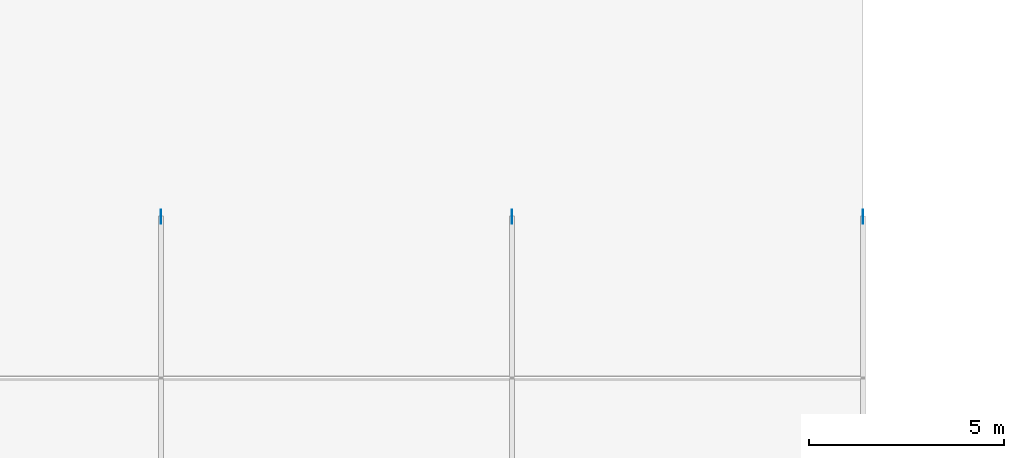
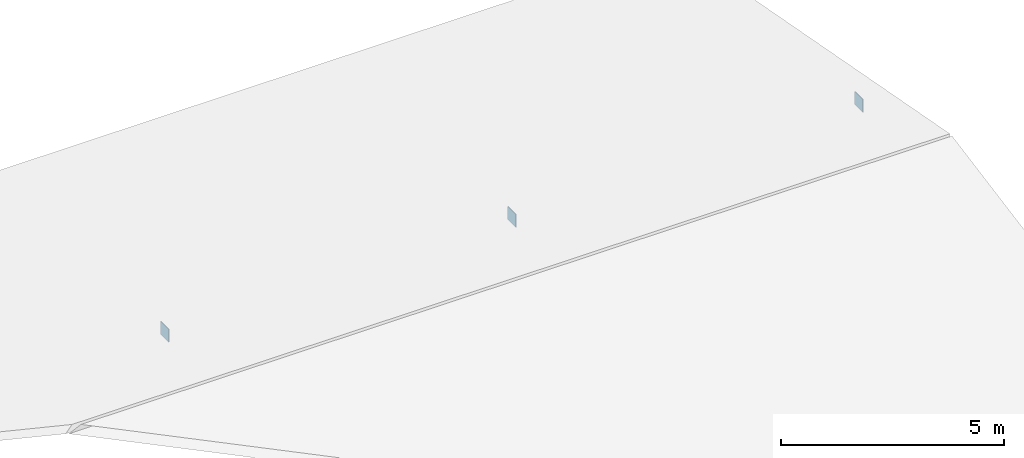
# One storey, part 17 of 35: 3 plates.
"""IFC4 building model written with IfcOpenShell, lengths in metres."""

import ifcopenshell
import ifcopenshell.guid

model = None  # the IFC model being written
_history = None  # IfcOwnerHistory: only IFC2X3 demands one
_inside = {}  # id of a spatial element -> (the spatial element, [elements in it])
_under = {}  # id of a project, library or spatial element -> (it, [spatial elements below it])
_declared = {}  # id of a project -> (the project, [libraries it declares])
_typed = {}  # id of a type object -> (the type object, [elements of that type])
_made_of = {}  # id of a material, layer set ... -> (it, [elements and type objects made of it])


def new_model(schema):
    """Start an empty IFC model of exactly this schema.

    Asked for "IFC4X3", IfcOpenShell would pick the latest addendum, in which some entities
    have other attributes; the version numbers below select the first issue.
    IFC2X3 requires an IfcOwnerHistory on every rooted entity: one is made here for all.
    """
    global model, _history
    if schema == "IFC4X3":
        model = ifcopenshell.file(schema_version=(4, 3, 0, 0))
    else:
        model = ifcopenshell.file(schema=schema)
    _inside.clear()
    _under.clear()
    _declared.clear()
    _typed.clear()
    _made_of.clear()
    _history = None
    if model.schema == "IFC2X3":
        org = make("IfcOrganization", Name="unknown")
        user = make(
            "IfcPersonAndOrganization",
            ThePerson=make("IfcPerson", FamilyName="unknown"),
            TheOrganization=org,
        )
        app = make(
            "IfcApplication",
            ApplicationDeveloper=org,
            Version="unknown",
            ApplicationFullName="unknown",
            ApplicationIdentifier="unknown",
        )
        _history = make(
            "IfcOwnerHistory",
            OwningUser=user,
            OwningApplication=app,
            ChangeAction="ADDED",
            CreationDate=0,
        )
    return model


def make(cls, **values):
    """One entity of the class cls with the attributes given. An attribute that is None is left unset."""
    return model.create_entity(
        cls, **{name: value for name, value in values.items() if value is not None}
    )


def rooted(cls, **values):
    """An entity with a GlobalId (a new one), such as an element, a storey or a relation."""
    return make(cls, GlobalId=ifcopenshell.guid.new(), OwnerHistory=_history, **values)


def si_unit(unit_type, name, prefix=None):
    """IfcSIUnit, for example si_unit("LENGTHUNIT", "METRE", prefix="MILLI")."""
    return make("IfcSIUnit", UnitType=unit_type, Prefix=prefix, Name=name)


def assignment(units):
    """IfcUnitAssignment: the units of a project."""
    return None if units is None else make("IfcUnitAssignment", Units=units)


def point(xyz):
    """IfcCartesianPoint."""
    return None if xyz is None else make("IfcCartesianPoint", Coordinates=xyz)


def direction(xyz):
    """IfcDirection."""
    return None if xyz is None else make("IfcDirection", DirectionRatios=xyz)


def frame(location, z_axis=None, x_axis=None):
    """IfcAxis2Placement3D, a coordinate frame: its origin and axes. An axis left out is left unset."""
    return make(
        "IfcAxis2Placement3D",
        Location=point(location),
        Axis=direction(z_axis),
        RefDirection=direction(x_axis),
    )


def frame_2d(location, x_axis=None):
    """IfcAxis2Placement2D, a coordinate frame in the plane: its origin and x axis."""
    return make(
        "IfcAxis2Placement2D", Location=point(location), RefDirection=direction(x_axis)
    )


def origin():
    """The frame at (0, 0, 0) with its axes left unset."""
    return frame((0.0, 0.0, 0.0))


def origin_2d():
    """The frame at (0, 0) in the plane with its x axis left unset."""
    return frame_2d((0.0, 0.0))


def place(relative_to, where):
    """IfcLocalPlacement: puts the frame where relative to a parent placement (None: the world)."""
    return make(
        "IfcLocalPlacement", PlacementRelTo=relative_to, RelativePlacement=where
    )


def context(
    kind, dimensions, precision=None, world=None, true_north=None, identifier=None
):
    """IfcGeometricRepresentationContext, for example the 3D "Model" context."""
    return make(
        "IfcGeometricRepresentationContext",
        ContextIdentifier=identifier,
        ContextType=kind,
        CoordinateSpaceDimension=dimensions,
        Precision=precision,
        WorldCoordinateSystem=world,
        TrueNorth=true_north,
    )


def subcontext(parent, identifier, kind, view, scale=None):
    """IfcGeometricRepresentationSubContext, for example "Body" below "Model"."""
    return make(
        "IfcGeometricRepresentationSubContext",
        ContextIdentifier=identifier,
        ContextType=kind,
        ParentContext=parent,
        TargetScale=scale,
        TargetView=view,
    )


def project(units=None, contexts=None):
    """IfcProject with its units and contexts."""
    return rooted(
        "IfcProject",
        Name="project",
        RepresentationContexts=contexts,
        UnitsInContext=assignment(units),
    )


def spatial(cls, under=None, at=None, **own):
    """A site, building, storey or space (cls), placed at a placement, below another one or the project."""
    s = rooted(cls, ObjectPlacement=at, **own)
    if under is not None:
        _under.setdefault(under.id(), (under, []))[1].append(s)
    return s


def profile(cls, at=None, kind="AREA", **sizes):
    """A parametric profile (cls). Its sizes go by their IFC names, for example OverallWidth=200.0."""
    return make(cls, ProfileType=kind, Position=at, **sizes)


def rectangle(**sizes):
    """IfcRectangleProfileDef."""
    return profile("IfcRectangleProfileDef", **sizes)


def extrude(swept, where, along, depth):
    """IfcExtrudedAreaSolid: the profile swept, set in the frame where, extruded along a direction by depth."""
    return make(
        "IfcExtrudedAreaSolid",
        SweptArea=swept,
        Position=where,
        ExtrudedDirection=direction(along),
        Depth=depth,
    )


def shape(context_of_items, identifier, shape_type, items):
    """IfcShapeRepresentation: the items that make up one representation, for example the "Body"."""
    return make(
        "IfcShapeRepresentation",
        ContextOfItems=context_of_items,
        RepresentationIdentifier=identifier,
        RepresentationType=shape_type,
        Items=items,
    )


def material(Name=None, Category=None):
    """IfcMaterial."""
    return make("IfcMaterial", Name=Name, Category=Category)


def layer(
    of_material, thickness, ventilated=None, Name=None, Category=None, Priority=None
):
    """IfcMaterialLayer: one layer of a wall or slab, of a material (None: an air gap)."""
    return make(
        "IfcMaterialLayer",
        Material=of_material,
        LayerThickness=thickness,
        IsVentilated=ventilated,
        Name=Name,
        Category=Category,
        Priority=Priority,
    )


def layer_set(layers, Name=None):
    """IfcMaterialLayerSet."""
    return make("IfcMaterialLayerSet", MaterialLayers=layers, LayerSetName=Name)


def made_of(thing, what):
    """Note that an element or type object is made of a material, layer set ...; save() writes the relation."""
    if what is not None:
        _made_of.setdefault(what.id(), (what, []))[1].append(thing)
    return thing


def type_object(cls, material=None, **own):
    """A type object (cls), such as IfcWallType, which elements share."""
    return made_of(rooted(cls, **own), material)


def element(
    cls,
    number,
    at=None,
    inside=None,
    cuts=None,
    type_object=None,
    material=None,
    context=None,
    identifier="Body",
    shape_type=None,
    held_by="IfcProductDefinitionShape",
    body=None,
    shapes=None,
    **own,
):
    """One element of the class cls, such as IfcWall. Its Tag is "e" and its number.

    at: its placement. inside: the storey or other place that contains it. cuts: it is an
    opening in that element (IfcRelVoidsElement). A single representation is given by context,
    identifier, shape_type and body (its items); several are given by shapes. held_by: the class
    of the entity that holds the representations. save() writes the other relations.
    """
    e = rooted(cls, Tag="e%d" % number, ObjectPlacement=at, **own)
    if body is not None:
        shapes = [shape(context, identifier, shape_type, body)]
    if shapes is not None:
        e.Representation = make(held_by, Representations=shapes)
    if inside is not None:
        _inside.setdefault(inside.id(), (inside, []))[1].append(e)
    if cuts is not None:
        rooted(
            "IfcRelVoidsElement", RelatingBuildingElement=cuts, RelatedOpeningElement=e
        )
    if type_object is not None:
        _typed.setdefault(type_object.id(), (type_object, []))[1].append(e)
    return made_of(e, material)


def aggregate(whole, parts):
    """IfcRelAggregates: a whole, such as a stair, and the parts it consists of."""
    return rooted("IfcRelAggregates", RelatingObject=whole, RelatedObjects=parts)


def save(model, path):
    """Write the relations noted so far, then the file.

    IfcRelAggregates (storeys below a building ...), IfcRelContainedInSpatialStructure (elements
    in a storey), IfcRelDefinesByType, IfcRelAssociatesMaterial and IfcRelDeclares: one each for
    every whole, place, type object, material and project.
    """
    for whole, parts in _under.values():
        aggregate(whole, parts)
    for where, things in _inside.values():
        rooted(
            "IfcRelContainedInSpatialStructure",
            RelatedElements=things,
            RelatingStructure=where,
        )
    for kind, things in _typed.values():
        rooted("IfcRelDefinesByType", RelatedObjects=things, RelatingType=kind)
    for what, things in _made_of.values():
        rooted("IfcRelAssociatesMaterial", RelatedObjects=things, RelatingMaterial=what)
    for by, libraries in _declared.values():
        rooted("IfcRelDeclares", RelatingContext=by, RelatedDefinitions=libraries)
    model.write(path)


model = new_model("IFC4")

# Units and contexts
model_context = context("Model", 3, precision=1e-05, world=origin(), true_north=direction((0.0, 1.0)))
body_context = subcontext(model_context, "Body", "Model", "MODEL_VIEW")
ifc_project = project(units=[si_unit("LENGTHUNIT", "METRE"), si_unit("AREAUNIT", "SQUARE_METRE"), si_unit("VOLUMEUNIT", "CUBIC_METRE"), si_unit("PLANEANGLEUNIT", "RADIAN"), si_unit("MASSUNIT", "GRAM", prefix="KILO")], contexts=[model_context])

# Site, building, storey
site_placement = place(None, origin())
site = spatial("IfcSite", under=ifc_project, at=site_placement, CompositionType="ELEMENT")
building_placement = place(site_placement, origin())
building = spatial("IfcBuilding", under=site, at=building_placement, Name="Sundgate Opera House", CompositionType="ELEMENT")
storey_placement = place(building_placement, frame((0.0, 0.0, 21.60009765625)))
storey = spatial("IfcBuildingStorey", under=building, at=storey_placement, Name="L04", CompositionType="ELEMENT", Elevation=21.60009765625)

# Plates
ifc_material = material(Name="Steel S355J2", Category="steel")
ifc_layer = layer(ifc_material, 0.02001953125)
ifc_layer_set = layer_set([ifc_layer], Name="Steel S355J2")
plate_type = type_object("IfcPlateType", Name="PT-GUS-20", PredefinedType="USERDEFINED", material=ifc_layer_set)
for number, where, z_axis, x_axis, name in (
    (1, (45.0, 103.5, 1.02001953125), (0.0, 0.0, 1.0), (1.0, 0.0, 0.0), "L04 Atelier Brace Top Gusset"),
    (2, (54.0, 103.5, 1.02001953125), (0.0, 0.0, 1.0), (1.0, 0.0, 0.0), "L04 Atelier Brace Top Gusset"),
    (3, (63.0, 103.5, 1.02001953125), (0.0, 0.0, 1.0), (1.0, 0.0, 0.0), "L04 Atelier Brace Top Gusset"),
):
    element("IfcPlate", number, at=place(storey_placement, frame(where, z_axis=z_axis, x_axis=x_axis)), inside=storey, type_object=plate_type, Name=name, ObjectType="GUSSET PLATE", PredefinedType="USERDEFINED", context=body_context, shape_type="SweptSolid", body=[
        extrude(rectangle(XDim=0.02001953125, YDim=0.360107421875, at=origin_2d()), origin(), (0.0, 0.0, 1.0), 0.360107421875),
    ])

save(model, "model.ifc")
